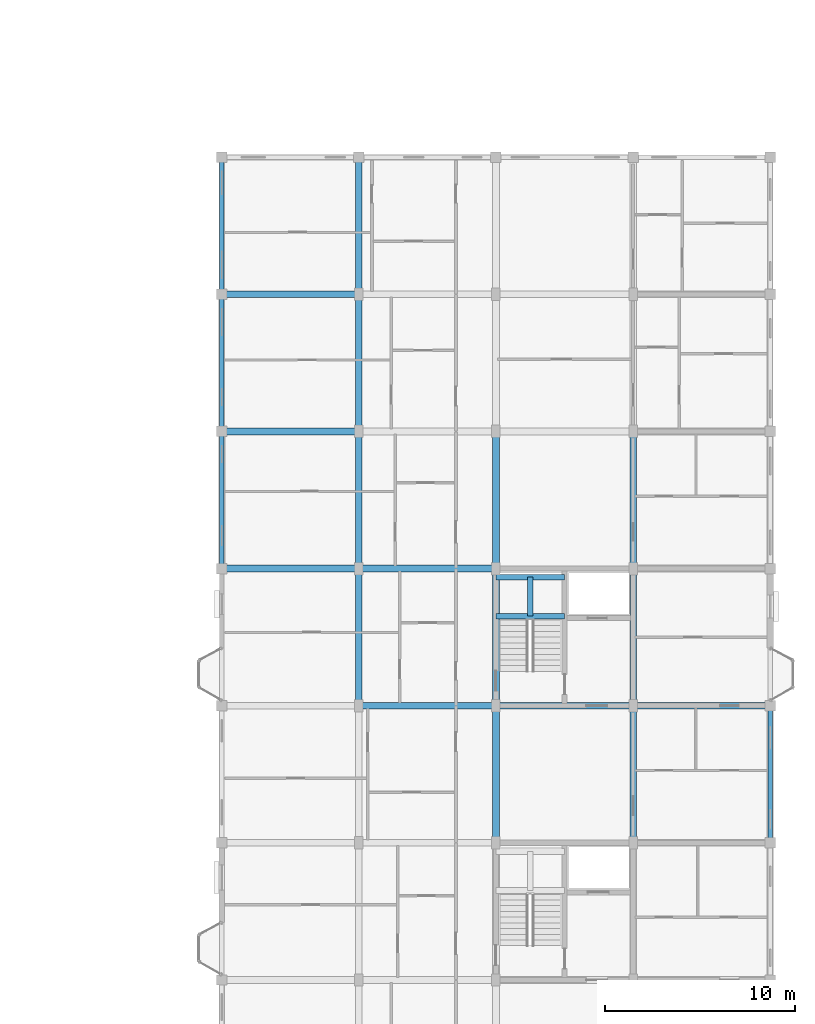
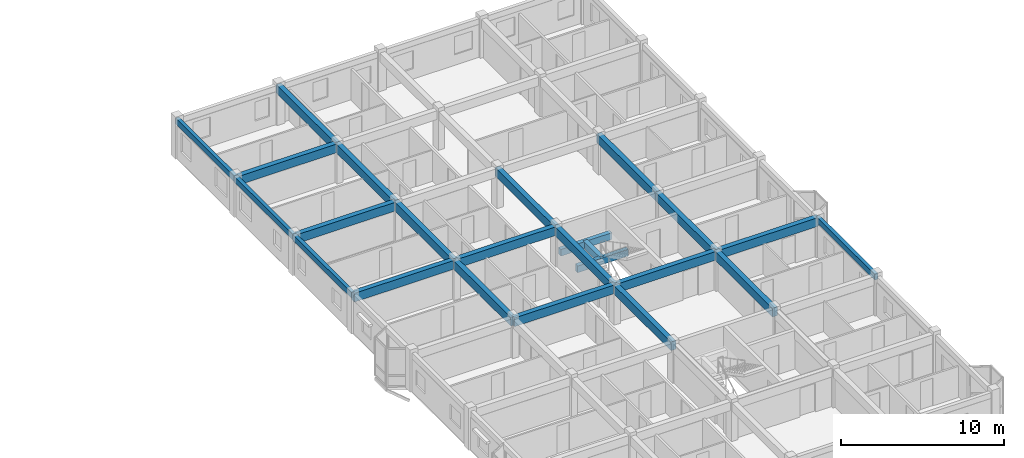
# One storey, part 29 of 77: 24 beams.
"""IFC4 building model written with IfcOpenShell, lengths in metres."""

from ifc_helpers import new_model, si_unit, direction, frame, origin, origin_2d, place, context, subcontext, project, spatial, rectangle, extrude, material, material_profile, profile_set, type_object, element, save


model = new_model("IFC4")

# Units and contexts
model_context = context("Model", 3, precision=1e-05, world=origin(), true_north=direction((0.0, 1.0)))
body_context = subcontext(model_context, "Body", "Model", "MODEL_VIEW")
ifc_project = project(units=[si_unit("LENGTHUNIT", "METRE"), si_unit("AREAUNIT", "SQUARE_METRE"), si_unit("VOLUMEUNIT", "CUBIC_METRE"), si_unit("PLANEANGLEUNIT", "RADIAN"), si_unit("MASSUNIT", "GRAM", prefix="KILO"), si_unit("THERMODYNAMICTEMPERATUREUNIT", "KELVIN"), si_unit("POWERUNIT", "WATT")], contexts=[model_context])

# Site, building, storey
site_placement = place(None, origin())
site = spatial("IfcSite", under=ifc_project, at=site_placement, CompositionType="ELEMENT")
building_placement = place(site_placement, origin())
building = spatial("IfcBuilding", under=site, at=building_placement, Name="Tavuni Mirador Residences", CompositionType="ELEMENT")
storey_placement = place(building_placement, frame((0.0, 0.0, 10.800048828125)))
storey = spatial("IfcBuildingStorey", under=building, at=storey_placement, Name="L03", CompositionType="ELEMENT", Elevation=10.800048828125)

# Beams
ifc_material = material(Name="Precast concrete C40/50", Category="concrete")
ifc_material_profile_1 = material_profile(ifc_material, rectangle(XDim=0.300048828125, YDim=0.5, at=origin_2d()), Name="PC 300x500", Category="concrete")
ifc_profile_set_1 = profile_set([ifc_material_profile_1], Name="Precast concrete C40/50")
beam_type_1 = type_object("IfcBeamType", Name="BT-B500", PredefinedType="BEAM", material=ifc_profile_set_1)
for number, where, z_axis, x_axis, name in (
    (1, (104.39990234375, 112.699951171875, 1.14501953125), (1.0, 0.0, 0.0), (0.0, 1.0, 0.0), "HLB1-C8-L03"),
    (2, (104.39990234375, 114.75, 1.14501953125), (1.0, 0.0, 0.0), (0.0, 1.0, 0.0), "HLB2-C8-L03"),
):
    element("IfcBeam", number, at=place(storey_placement, frame(where, z_axis=z_axis, x_axis=x_axis)), inside=storey, type_object=beam_type_1, Name=name, PredefinedType="BEAM", context=body_context, shape_type="SweptSolid", body=[
        extrude(rectangle(XDim=0.300048828125, YDim=0.5, at=origin_2d()), origin(), (0.0, 0.0, 1.0), 3.60009765625),
    ])
beam_1_placement = place(storey_placement, frame((106.199951171875, 112.699951171875, 1.14501953125), z_axis=(0.0, 1.0, 0.0), x_axis=(-1.0, 0.0, 0.0)))
element("IfcBeam", 3, at=beam_1_placement, inside=storey, type_object=beam_type_1, Name="HLB3-C8-L03", PredefinedType="BEAM", context=body_context, shape_type="SweptSolid", body=[
    extrude(rectangle(XDim=0.300048828125, YDim=0.5, at=origin_2d()), origin(), (0.0, 0.0, 1.0), 2.050048828125),
])
ifc_material_profile_2 = material_profile(ifc_material, rectangle(XDim=0.35009765625, YDim=0.64990234375, at=origin_2d()), Name="PC 350x650", Category="concrete")
ifc_profile_set_2 = profile_set([ifc_material_profile_2], Name="Precast concrete C40/50")
beam_type_2 = type_object("IfcBeamType", Name="BT-B650", PredefinedType="BEAM", material=ifc_profile_set_2)
beam_2_placement = place(storey_placement, frame((97.199951171875, 108.0, 2.56494140625), z_axis=(1.0, 0.0, 0.0), x_axis=(0.0, 1.0, 0.0)))
element("IfcBeam", 4, at=beam_2_placement, inside=storey, type_object=beam_type_2, Name="BMX-BLK-D-L03-01-03", PredefinedType="BEAM", context=body_context, shape_type="SweptSolid", body=[
    extrude(rectangle(XDim=0.35009765625, YDim=0.64990234375, at=origin_2d()), origin(), (0.0, 0.0, 1.0), 7.199951171875),
])
beam_3_placement = place(storey_placement, frame((104.39990234375, 108.0, 2.56494140625), z_axis=(1.0, 0.0, 0.0), x_axis=(0.0, 1.0, 0.0)))
element("IfcBeam", 5, at=beam_3_placement, inside=storey, type_object=beam_type_2, Name="BMX-BLK-D-L03-02-03", PredefinedType="BEAM", context=body_context, shape_type="SweptSolid", body=[
    extrude(rectangle(XDim=0.35009765625, YDim=0.64990234375, at=origin_2d()), origin(), (0.0, 0.0, 1.0), 7.2001953125),
])
for number, where, z_axis, x_axis, name in (
    (6, (111.60009765625, 108.0, 2.56494140625), (1.0, 0.0, 0.0), (0.0, 1.0, 0.0), "BMX-BLK-D-L03-03-03"),
    (7, (90.0, 115.199951171875, 2.56494140625), (1.0, 0.0, 0.0), (0.0, 1.0, 0.0), "BMX-BLK-D-L03-00-04"),
    (8, (97.199951171875, 115.199951171875, 2.56494140625), (1.0, 0.0, 0.0), (0.0, 1.0, 0.0), "BMX-BLK-D-L03-01-04"),
    (9, (90.0, 122.39990234375, 2.56494140625), (1.0, 0.0, 0.0), (0.0, 1.0, 0.0), "BMX-BLK-D-L03-00-05"),
    (10, (90.0, 129.60009765625, 2.56494140625), (1.0, 0.0, 0.0), (0.0, 1.0, 0.0), "BMX-BLK-D-L03-00-06"),
    (11, (97.199951171875, 108.0, 2.56494140625), (0.0, 1.0, 0.0), (-1.0, 0.0, 0.0), "BMY-BLK-D-L03-01-03"),
    (12, (97.199951171875, 115.199951171875, 2.56494140625), (0.0, 1.0, 0.0), (-1.0, 0.0, 0.0), "BMY-BLK-D-L03-01-04"),
):
    element("IfcBeam", number, at=place(storey_placement, frame(where, z_axis=z_axis, x_axis=x_axis)), inside=storey, type_object=beam_type_2, Name=name, PredefinedType="BEAM", context=body_context, shape_type="SweptSolid", body=[
        extrude(rectangle(XDim=0.35009765625, YDim=0.64990234375, at=origin_2d()), origin(), (0.0, 0.0, 1.0), 7.199951171875),
    ])
beam_4_placement = place(storey_placement, frame((97.199951171875, 122.39990234375, 2.56494140625), z_axis=(0.0, 1.0, 0.0), x_axis=(-1.0, 0.0, 0.0)))
element("IfcBeam", 13, at=beam_4_placement, inside=storey, type_object=beam_type_2, Name="BMY-BLK-D-L03-01-05", PredefinedType="BEAM", context=body_context, shape_type="SweptSolid", body=[
    extrude(rectangle(XDim=0.35009765625, YDim=0.64990234375, at=origin_2d()), origin(), (0.0, 0.0, 1.0), 7.2001953125),
])
for number, where, z_axis, x_axis, name in (
    (14, (97.199951171875, 129.60009765625, 2.56494140625), (0.0, 1.0, 0.0), (-1.0, 0.0, 0.0), "BMY-BLK-D-L03-01-06"),
    (15, (104.39990234375, 100.800048828125, 2.56494140625), (0.0, 1.0, 0.0), (-1.0, 0.0, 0.0), "BMY-BLK-D-L03-02-02"),
    (16, (104.39990234375, 108.0, 2.56494140625), (0.0, 1.0, 0.0), (-1.0, 0.0, 0.0), "BMY-BLK-D-L03-02-03"),
    (17, (104.39990234375, 115.199951171875, 2.56494140625), (0.0, 1.0, 0.0), (-1.0, 0.0, 0.0), "BMY-BLK-D-L03-02-04"),
    (18, (111.60009765625, 100.800048828125, 2.56494140625), (0.0, 1.0, 0.0), (-1.0, 0.0, 0.0), "BMY-BLK-D-L03-03-02"),
    (19, (111.60009765625, 108.0, 2.56494140625), (0.0, 1.0, 0.0), (-1.0, 0.0, 0.0), "BMY-BLK-D-L03-03-03"),
    (20, (111.60009765625, 115.199951171875, 2.56494140625), (0.0, 1.0, 0.0), (-1.0, 0.0, 0.0), "BMY-BLK-D-L03-03-04"),
):
    element("IfcBeam", number, at=place(storey_placement, frame(where, z_axis=z_axis, x_axis=x_axis)), inside=storey, type_object=beam_type_2, Name=name, PredefinedType="BEAM", context=body_context, shape_type="SweptSolid", body=[
        extrude(rectangle(XDim=0.35009765625, YDim=0.64990234375, at=origin_2d()), origin(), (0.0, 0.0, 1.0), 7.199951171875),
    ])
ifc_material_profile_3 = material_profile(ifc_material, rectangle(XDim=0.25, YDim=0.419921875, at=origin_2d()), Name="PC 250x420", Category="concrete")
ifc_profile_set_3 = profile_set([ifc_material_profile_3], Name="Precast concrete C40/50")
beam_type_3 = type_object("IfcBeamType", Name="BT-SP420", PredefinedType="SPANDREL", material=ifc_profile_set_3)
beam_5_placement = place(storey_placement, frame((90.0, 115.199951171875, 2.679931640625), z_axis=(0.0, 1.0, 0.0), x_axis=(-1.0, 0.0, 0.0)))
element("IfcBeam", 21, at=beam_5_placement, inside=storey, type_object=beam_type_3, Name="BMY-BLK-D-L03-00-04", PredefinedType="SPANDREL", context=body_context, shape_type="SweptSolid", body=[
    extrude(rectangle(XDim=0.25, YDim=0.419921875, at=origin_2d()), origin(), (0.0, 0.0, 1.0), 7.199951171875),
])
beam_6_placement = place(storey_placement, frame((90.0, 122.39990234375, 2.679931640625), z_axis=(0.0, 1.0, 0.0), x_axis=(-1.0, 0.0, 0.0)))
element("IfcBeam", 22, at=beam_6_placement, inside=storey, type_object=beam_type_3, Name="BMY-BLK-D-L03-00-05", PredefinedType="SPANDREL", context=body_context, shape_type="SweptSolid", body=[
    extrude(rectangle(XDim=0.25, YDim=0.419921875, at=origin_2d()), origin(), (0.0, 0.0, 1.0), 7.2001953125),
])
for number, where, z_axis, x_axis, name in (
    (23, (90.0, 129.60009765625, 2.679931640625), (0.0, 1.0, 0.0), (-1.0, 0.0, 0.0), "BMY-BLK-D-L03-00-06"),
    (24, (118.800048828125, 100.800048828125, 2.679931640625), (0.0, 1.0, 0.0), (-1.0, 0.0, 0.0), "BMY-BLK-D-L03-04-02"),
):
    element("IfcBeam", number, at=place(storey_placement, frame(where, z_axis=z_axis, x_axis=x_axis)), inside=storey, type_object=beam_type_3, Name=name, PredefinedType="SPANDREL", context=body_context, shape_type="SweptSolid", body=[
        extrude(rectangle(XDim=0.25, YDim=0.419921875, at=origin_2d()), origin(), (0.0, 0.0, 1.0), 7.199951171875),
    ])

save(model, "model.ifc")
